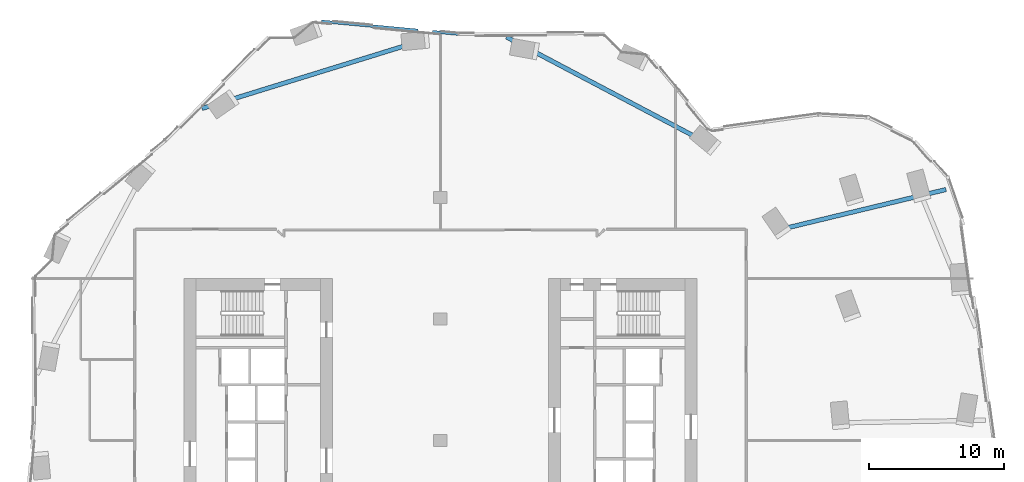
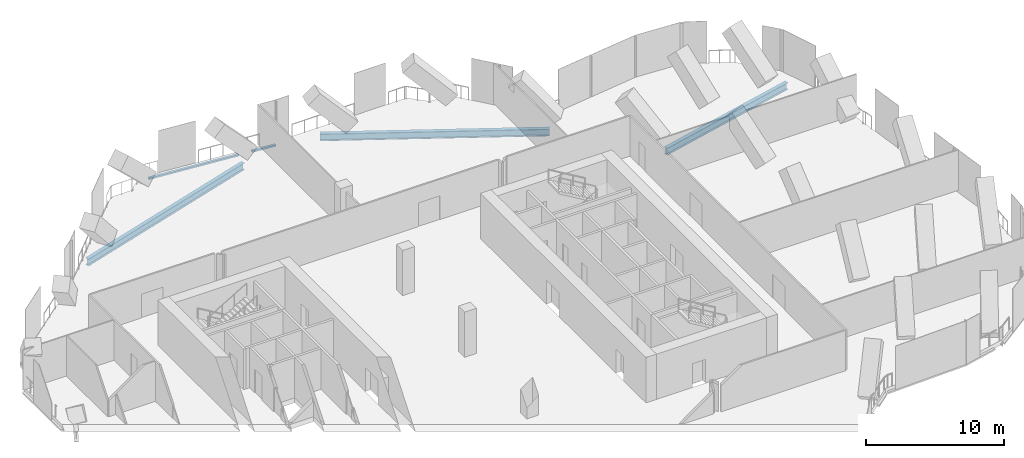
# One storey, part 10 of 29: 3 beams, 2 members, 1 element without a shape of its own.
"""IFC4 building model written with IfcOpenShell, lengths in metres."""

from ifc_helpers import new_model, si_unit, direction, frame, origin, origin_2d, place, context, subcontext, project, spatial, rectangle, i_section, extrude, material, material_profile, profile_set, type_object, element, aggregate, save


model = new_model("IFC4")

# Units and contexts
model_context = context("Model", 3, precision=1e-05, world=origin(), true_north=direction((0.0, 1.0)))
body_context = subcontext(model_context, "Body", "Model", "MODEL_VIEW")
ifc_project = project(units=[si_unit("LENGTHUNIT", "METRE"), si_unit("AREAUNIT", "SQUARE_METRE"), si_unit("VOLUMEUNIT", "CUBIC_METRE"), si_unit("PLANEANGLEUNIT", "RADIAN"), si_unit("MASSUNIT", "GRAM", prefix="KILO")], contexts=[model_context])

# Site, building, storey
site_placement = place(None, origin())
site = spatial("IfcSite", under=ifc_project, at=site_placement, CompositionType="ELEMENT")
building_placement = place(site_placement, origin())
building = spatial("IfcBuilding", under=site, at=building_placement, Name="Orlundy Tower", CompositionType="ELEMENT")
storey_placement = place(building_placement, frame((0.0, 0.0, 184.60009765625)))
storey = spatial("IfcBuildingStorey", under=building, at=storey_placement, Name="L48", CompositionType="ELEMENT", Elevation=184.60009765625)

# Beams
ifc_material_1 = material(Name="Steel ASTM A992 Gr 50", Category="steel")
ifc_material_profile_1 = material_profile(ifc_material_1, i_section(OverallWidth=0.32373046875, OverallDepth=0.611083984375, WebThickness=0.0126953125, FlangeThickness=0.01904296875, at=origin_2d()), Name="W24X104")
ifc_profile_set_1 = profile_set([ifc_material_profile_1], Name="Steel ASTM A992 Gr 50")
beam_type = type_object("IfcBeamType", Name="CANTILEVER GIRDER beam W24X104", PredefinedType="BEAM", material=ifc_profile_set_1)
beam_1_placement = place(storey_placement, frame((37.451416015625, 18.591796875, -0.7255859375), z_axis=(-0.972122026899, -0.234475510058, 0.0), x_axis=(0.234475510058, -0.972122026899, 0.0)))
element("IfcBeam", 1, at=beam_1_placement, inside=storey, type_object=beam_type, Name="Cantilever girder C-A5-5 L48", PredefinedType="BEAM", context=body_context, shape_type="SweptSolid", body=[
    extrude(i_section(OverallWidth=0.32373046875, OverallDepth=0.611083984375, WebThickness=0.0126953125, FlangeThickness=0.01904296875, at=origin_2d()), origin(), (0.0, 0.0, 1.0), 12.10009765625),
])
beam_2_placement = place(storey_placement, frame((-17.672607421875, 24.5947265625, -0.7255859375), z_axis=(0.955445438473, 0.295167772802, 0.0), x_axis=(-0.295167772802, 0.955445438473, 0.0)))
element("IfcBeam", 2, at=beam_2_placement, inside=storey, type_object=beam_type, Name="Cantilever girder C-H21 L48", PredefinedType="BEAM", context=body_context, shape_type="SweptSolid", body=[
    extrude(i_section(OverallWidth=0.32373046875, OverallDepth=0.611083984375, WebThickness=0.0126953125, FlangeThickness=0.01904296875, at=origin_2d()), origin(), (0.0, 0.0, 1.0), 16.646728515625),
])
beam_3_placement = place(storey_placement, frame((4.894287109375, 29.887451171875, -0.7255859375), z_axis=(0.884311758766, -0.466896897942, 0.0), x_axis=(0.466896897942, 0.884311758766, 0.0)))
element("IfcBeam", 3, at=beam_3_placement, inside=storey, type_object=beam_type, Name="Cantilever girder C-H24 L48", PredefinedType="BEAM", context=body_context, shape_type="SweptSolid", body=[
    extrude(i_section(OverallWidth=0.32373046875, OverallDepth=0.611083984375, WebThickness=0.0126953125, FlangeThickness=0.01904296875, at=origin_2d()), origin(), (0.0, 0.0, 1.0), 16.64697265625),
])

# Curtain wall, members
ifc_material_2 = material(Name="Aluminium bronze anodised", Category="aluminium")
curtain_wall_type = type_object("IfcCurtainWallType", Name="CW5 wall", PredefinedType="NOTDEFINED", material=ifc_material_2)
curtain_wall_placement = place(storey_placement, origin())
curtain_wall = element("IfcCurtainWall", 4, at=curtain_wall_placement, inside=storey, type_object=curtain_wall_type, Name="CW5 run 011", PredefinedType="NOTDEFINED")
ifc_material_3 = material(Name="Aluminium bronze anodised", Category="aluminium")
ifc_material_profile_2 = material_profile(ifc_material_3, rectangle(XDim=0.199951171875, YDim=0.139892578125, at=origin_2d()), Name="CW5 transom 200x140")
ifc_profile_set_2 = profile_set([ifc_material_profile_2], Name="Aluminium bronze anodised")
member_type = type_object("IfcMemberType", Name="CW5 transom 200x140", PredefinedType="USERDEFINED", material=ifc_profile_set_2)
member_1_placement = place(storey_placement, frame((-8.80712890625, 31.052978515625, -0.35009765625), z_axis=(0.995667535166, -0.092984726787, 0.0), x_axis=(0.092984726787, 0.995667535166, 0.0)))
member_1 = element("IfcMember", 5, at=member_1_placement, type_object=member_type, Name="CW5 transom", ObjectType="TRANSOM", PredefinedType="USERDEFINED", context=body_context, shape_type="SweptSolid", body=[
    extrude(rectangle(XDim=0.199951171875, YDim=0.139892578125, at=origin_2d()), origin(), (0.0, 0.0, 1.0), 7.180908203125),
])
member_2_placement = place(storey_placement, frame((-0.58642578125, 30.285400390625, -0.35009765625), z_axis=(0.995669175835, -0.092967157061, 0.0), x_axis=(0.092967157061, 0.995669175835, 0.0)))
member_2 = element("IfcMember", 6, at=member_2_placement, type_object=member_type, Name="CW5 transom", ObjectType="TRANSOM", PredefinedType="USERDEFINED", context=body_context, shape_type="SweptSolid", body=[
    extrude(rectangle(XDim=0.199951171875, YDim=0.139892578125, at=origin_2d()), origin(), (0.0, 0.0, 1.0), 1.8828125),
])
aggregate(curtain_wall, [member_1, member_2])

save(model, "model.ifc")
